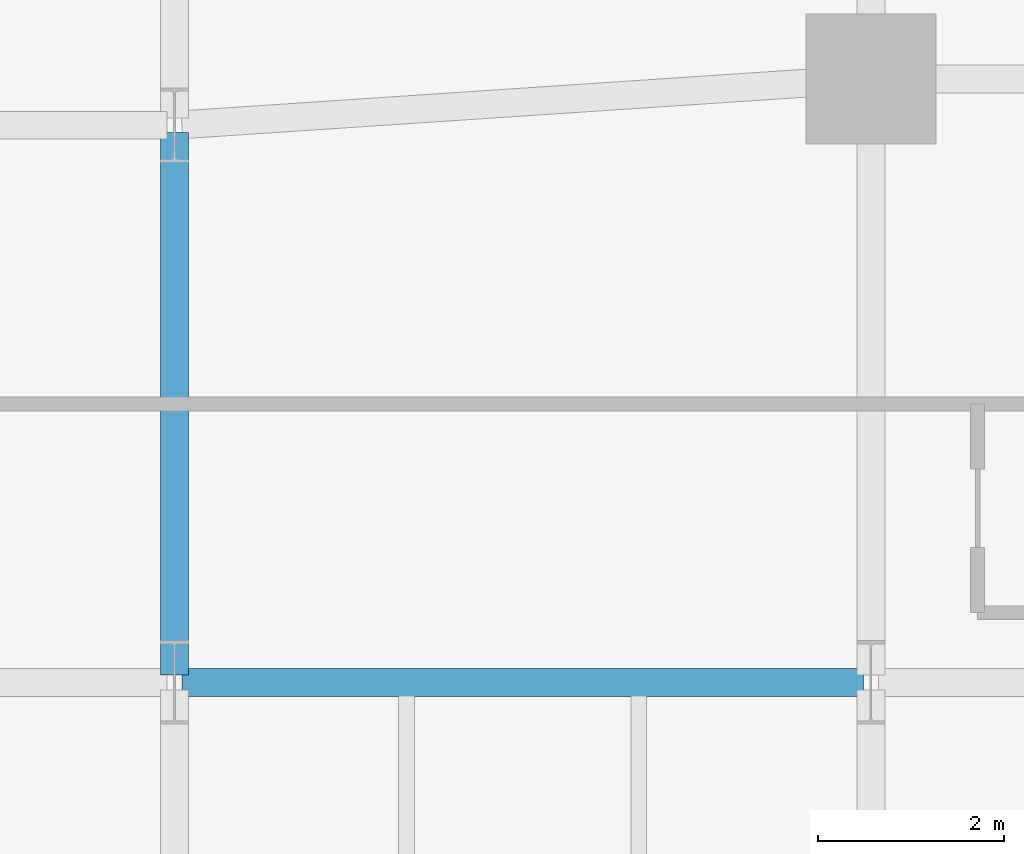
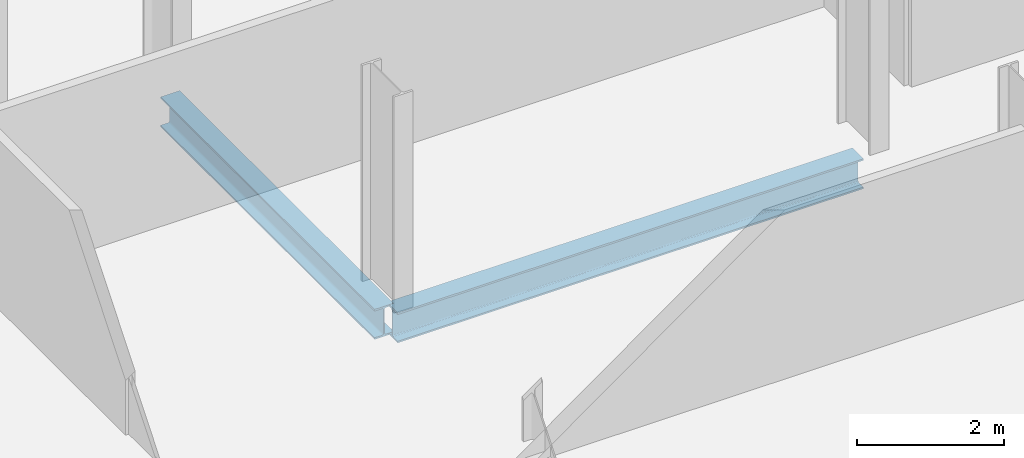
# One storey, part 10 of 33: 2 beams.
"""IFC4 building model written with IfcOpenShell, lengths in metres."""

from ifc_helpers import new_model, si_unit, direction, frame, origin, origin_2d, place, context, subcontext, project, spatial, i_section, extrude, material, material_profile, profile_set, type_object, element, save


model = new_model("IFC4")

# Units and contexts
model_context = context("Model", 3, precision=1e-05, world=origin(), true_north=direction((0.0, 1.0)))
body_context = subcontext(model_context, "Body", "Model", "MODEL_VIEW")
ifc_project = project(units=[si_unit("LENGTHUNIT", "METRE"), si_unit("AREAUNIT", "SQUARE_METRE"), si_unit("VOLUMEUNIT", "CUBIC_METRE"), si_unit("PLANEANGLEUNIT", "RADIAN"), si_unit("MASSUNIT", "GRAM", prefix="KILO")], contexts=[model_context])

# Site, building, storey
site_placement = place(None, origin())
site = spatial("IfcSite", under=ifc_project, at=site_placement, CompositionType="ELEMENT")
building_placement = place(site_placement, origin())
building = spatial("IfcBuilding", under=site, at=building_placement, Name="Catumbela Crestline Tower", CompositionType="ELEMENT")
storey_placement = place(building_placement, frame((0.0, 0.0, 47.4)))
storey = spatial("IfcBuildingStorey", under=building, at=storey_placement, Name="L11", CompositionType="ELEMENT", Elevation=47.4)

# Beams
ifc_material = material(Name="Structural steel S355J2", Category="steel")
ifc_material_profile = material_profile(ifc_material, i_section(OverallWidth=0.3, OverallDepth=0.5, WebThickness=0.0145, FlangeThickness=0.028, FilletRadius=0.027, at=origin_2d()), Name="HEB 500")
ifc_profile_set = profile_set([ifc_material_profile], Name="Structural steel S355J2")
beam_type = type_object("IfcBeamType", Name="BG-HEB500", PredefinedType="BEAM", material=ifc_profile_set)
beam_1_placement = place(storey_placement, frame((8.58, 18.0, -0.51), z_axis=(1.0, 0.0, 0.0), x_axis=(0.0, 1.0, 0.0)))
element("IfcBeam", 1, at=beam_1_placement, inside=storey, type_object=beam_type, Name="L11 Beam BM-L11-WEW55", PredefinedType="BEAM", context=body_context, shape_type="SweptSolid", body=[
    extrude(i_section(OverallWidth=0.3, OverallDepth=0.5, WebThickness=0.0145, FlangeThickness=0.028, FilletRadius=0.027, at=origin_2d()), origin(), (0.0, 0.0, 1.0), 7.34),
])
beam_2_placement = place(storey_placement, frame((8.5, 18.08, -0.51), z_axis=(0.0, 1.0, 0.0), x_axis=(-1.0, 0.0, 0.0)))
element("IfcBeam", 2, at=beam_2_placement, inside=storey, type_object=beam_type, Name="L11 Beam BM-L11-WNS63", PredefinedType="BEAM", context=body_context, shape_type="SweptSolid", body=[
    extrude(i_section(OverallWidth=0.3, OverallDepth=0.5, WebThickness=0.0145, FlangeThickness=0.028, FilletRadius=0.027, at=origin_2d()), origin(), (0.0, 0.0, 1.0), 5.84),
])

save(model, "model.ifc")
